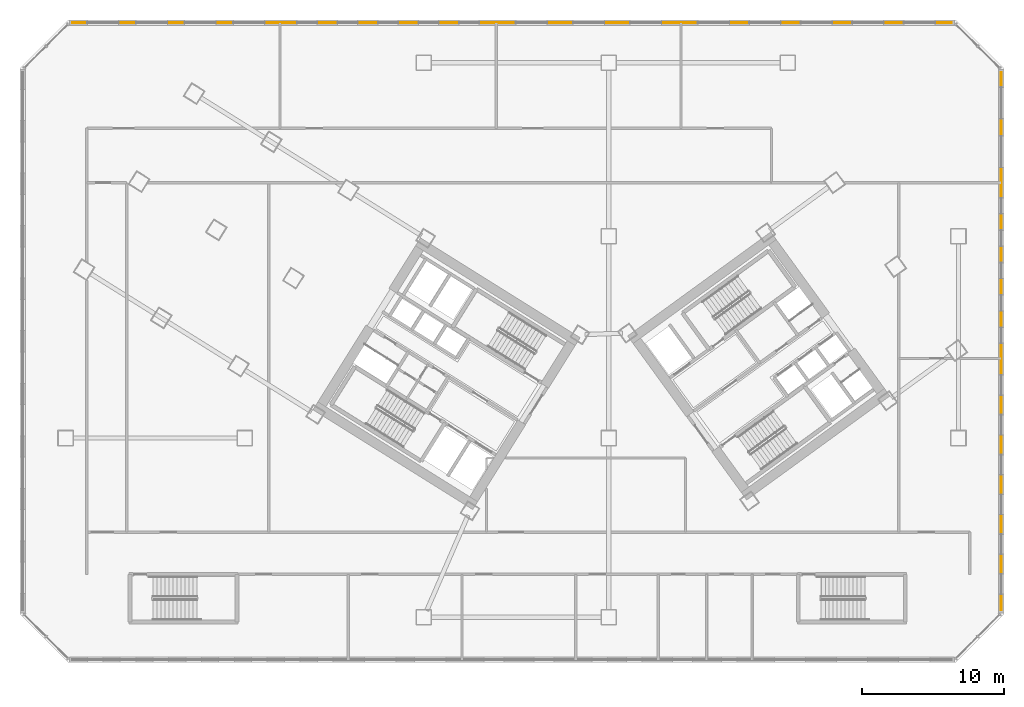
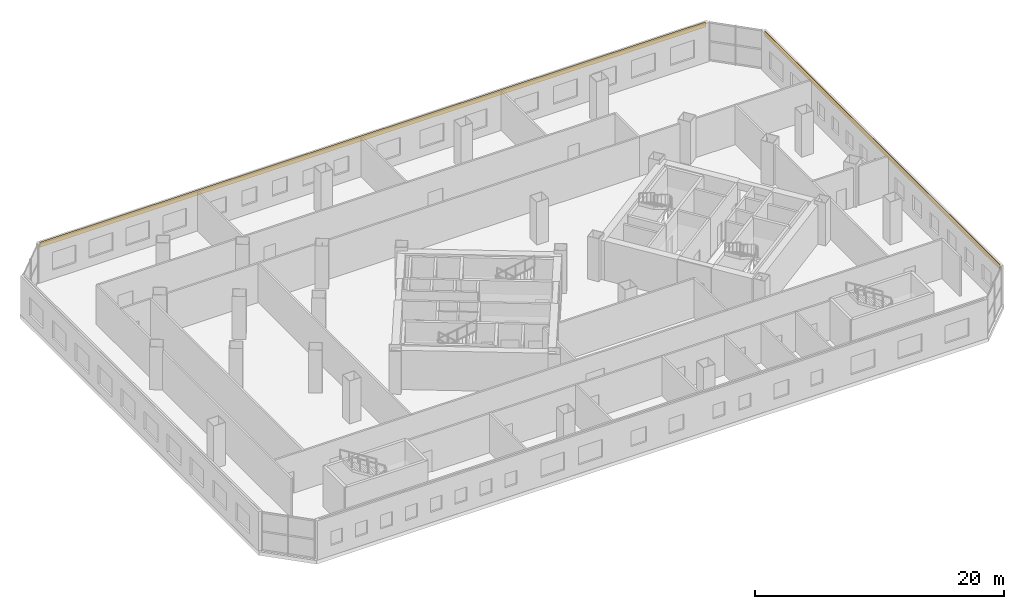
# One storey, part 22 of 22: 2 coverings.
"""IFC4 building model written with IfcOpenShell, lengths in metres."""

from ifc_helpers import new_model, si_unit, direction, frame, origin, origin_2d, place, context, subcontext, project, spatial, rectangle, extrude, source, transform, mapped, material, layer, layer_set, type_object, element, save


model = new_model("IFC4")

# Units and contexts
model_context = context("Model", 3, precision=1e-05, world=origin(), true_north=direction((0.0, 1.0)))
body_context = subcontext(model_context, "Body", "Model", "MODEL_VIEW")
ifc_project = project(units=[si_unit("LENGTHUNIT", "METRE"), si_unit("AREAUNIT", "SQUARE_METRE"), si_unit("VOLUMEUNIT", "CUBIC_METRE"), si_unit("PLANEANGLEUNIT", "RADIAN"), si_unit("MASSUNIT", "GRAM", prefix="KILO")], contexts=[model_context])

# Site, building, storey
site_placement = place(None, origin())
site = spatial("IfcSite", under=ifc_project, at=site_placement, CompositionType="ELEMENT")
building_placement = place(site_placement, origin())
building = spatial("IfcBuilding", under=site, at=building_placement, Name="Tlacorven Tower", CompositionType="ELEMENT")
storey_placement = place(building_placement, frame((0.0, 0.0, 10.199951171875)))
storey = spatial("IfcBuildingStorey", under=building, at=storey_placement, Name="L02", CompositionType="ELEMENT", Elevation=10.199951171875)

# Coverings
ifc_material = material(Name="Precast concrete C45/55", Category="concrete")
ifc_layer = layer(ifc_material, 0.06005859375)
ifc_layer_set = layer_set([ifc_layer], Name="Precast concrete C45/55")
covering_type = type_object("IfcCoveringType", Name="CV-CLD-TERC", PredefinedType="CLADDING", material=ifc_layer_set)
shared_shape_1 = source(origin(), body_context, "Body", "SweptSolid", [
    extrude(rectangle(XDim=37.834228515625, YDim=0.06005859375, at=origin_2d()), origin(), (0.0, 0.0, 1.0), 0.47998046875),
])
covering_1_placement = place(storey_placement, frame((70.39990234375, 24.0, 3.3701171875), z_axis=(0.0, 0.0, 1.0), x_axis=(0.0, -1.0, 0.0)))
element("IfcCovering", 1, at=covering_1_placement, inside=storey, type_object=covering_type, Name="L02 Expressed Terracotta Masonry Spandrel Band 6", PredefinedType="CLADDING", context=body_context, shape_type="MappedRepresentation", body=[
    mapped(shared_shape_1, transform((0.0, 0.0, 0.0), scale=1.0)),
])
shared_shape_2 = source(origin(), body_context, "Body", "SweptSolid", [
    extrude(rectangle(XDim=61.834228515625, YDim=0.06005859375, at=origin_2d()), origin(), (0.0, 0.0, 1.0), 0.47998046875),
])
covering_2_placement = place(storey_placement, frame((36.0, 46.39990234375, 3.3701171875), z_axis=(0.0, 0.0, 1.0), x_axis=(1.0, 0.0, 0.0)))
element("IfcCovering", 2, at=covering_2_placement, inside=storey, type_object=covering_type, Name="L02 Expressed Terracotta Masonry Spandrel Band 4", PredefinedType="CLADDING", context=body_context, shape_type="MappedRepresentation", body=[
    mapped(shared_shape_2, transform((0.0, 0.0, 0.0), scale=1.0)),
])

save(model, "model.ifc")
